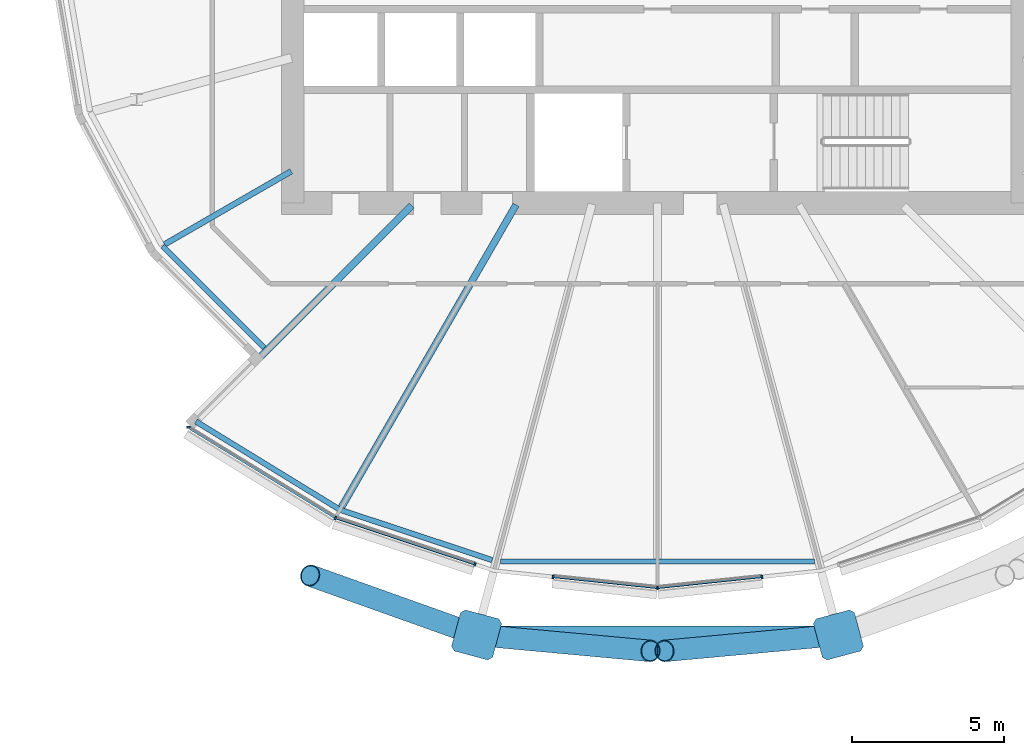
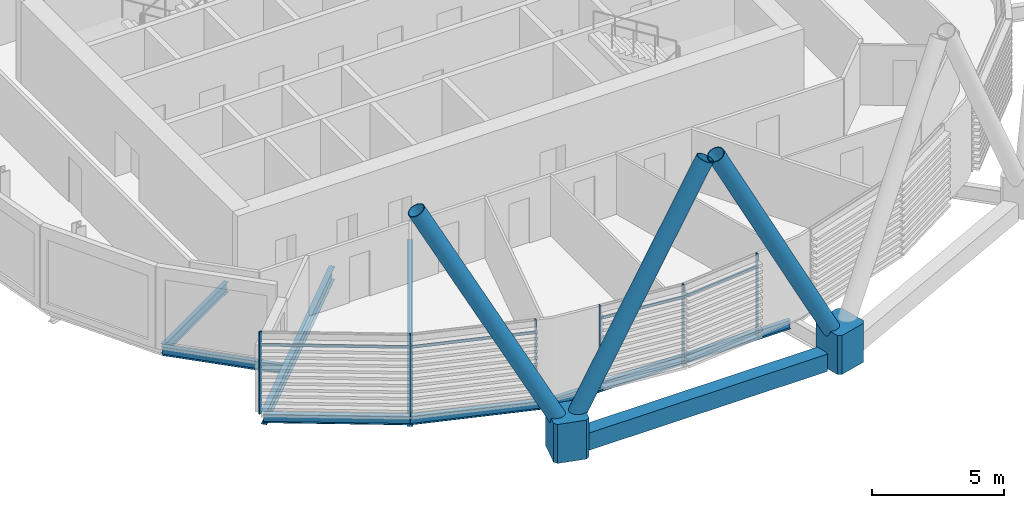
# One storey, part 3 of 39: 15 members, 8 beams, 1 element without a shape of its own.
"""IFC4 building model written with IfcOpenShell, lengths in metres."""

from ifc_helpers import new_model, si_unit, direction, frame, origin, origin_2d, place, context, subcontext, project, spatial, polyline, rectangle, hollow_rectangle, hollow_circle, i_section, outline, extrude, material, material_profile, profile_set, type_object, element, aggregate, save


model = new_model("IFC4")

# Units and contexts
model_context = context("Model", 3, precision=1e-05, world=origin(), true_north=direction((0.0, 1.0)))
body_context = subcontext(model_context, "Body", "Model", "MODEL_VIEW")
ifc_project = project(units=[si_unit("LENGTHUNIT", "METRE"), si_unit("AREAUNIT", "SQUARE_METRE"), si_unit("VOLUMEUNIT", "CUBIC_METRE"), si_unit("PLANEANGLEUNIT", "RADIAN"), si_unit("MASSUNIT", "GRAM", prefix="KILO")], contexts=[model_context])

# Site, building, storey
site_placement = place(None, origin())
site = spatial("IfcSite", under=ifc_project, at=site_placement, CompositionType="ELEMENT")
building_placement = place(site_placement, origin())
building = spatial("IfcBuilding", under=site, at=building_placement, Name="Rimbun Link Towers", CompositionType="ELEMENT")
storey_placement = place(building_placement, frame((0.0, 0.0, 115.800048828125)))
storey = spatial("IfcBuildingStorey", under=building, at=storey_placement, Name="L28", CompositionType="ELEMENT", Elevation=115.800048828125)

# Curtain wall, members
ifc_material_1 = material(Name="Aluminium 6063-T6 and low-iron glass", Category="aluminium")
curtain_wall_type = type_object("IfcCurtainWallType", Name="CW1-Z2 unitised vision wall (zone 2)", PredefinedType="NOTDEFINED", material=ifc_material_1)
curtain_wall_placement = place(storey_placement, origin())
curtain_wall = element("IfcCurtainWall", 1, at=curtain_wall_placement, inside=storey, type_object=curtain_wall_type, Name="CW1 L28 T1", PredefinedType="NOTDEFINED")
ifc_material_2 = material(Name="Aluminium 6063-T6", Category="aluminium")
ifc_material_profile_1 = material_profile(ifc_material_2, rectangle(XDim=0.1201171875, YDim=0.06005859375, at=origin_2d()), Name="MULLION 60X120")
ifc_profile_set_1 = profile_set([ifc_material_profile_1], Name="Aluminium 6063-T6")
member_type_1 = type_object("IfcMemberType", Name="CW1 mullion 60X120", PredefinedType="MULLION", material=ifc_profile_set_1)
member_1_placement = place(storey_placement, frame((-42.34619140625, -18.364013671875, 0.0), z_axis=(0.0, 0.0, 1.0), x_axis=(-0.421704717158, -0.9067332196, 0.0)))
member_1 = element("IfcMember", 2, at=member_1_placement, type_object=member_type_1, Name="CW1 mullion", PredefinedType="MULLION", context=body_context, shape_type="SweptSolid", body=[
    extrude(rectangle(XDim=0.1201171875, YDim=0.06005859375, at=origin_2d()), origin(), (0.0, 0.0, 1.0), 3.800048828125),
])
member_2_placement = place(storey_placement, frame((-47.17529296875, -15.37255859375, 0.0), z_axis=(0.0, 0.0, 1.0), x_axis=(-0.993119709488, -0.117103555137, 0.0)))
member_2 = element("IfcMember", 3, at=member_2_placement, type_object=member_type_1, Name="CW1 mullion", PredefinedType="MULLION", context=body_context, shape_type="SweptSolid", body=[
    extrude(rectangle(XDim=0.1201171875, YDim=0.06005859375, at=origin_2d()), origin(), (0.0, 0.0, 1.0), 3.800048828125),
])
member_3_placement = place(storey_placement, frame((-37.75390625, -19.88623046875, 0.0), z_axis=(0.0, 0.0, 1.0), x_axis=(-0.314563424855, -0.949236457235, 0.0)))
member_3 = element("IfcMember", 4, at=member_3_placement, type_object=member_type_1, Name="CW1 mullion", PredefinedType="MULLION", context=body_context, shape_type="SweptSolid", body=[
    extrude(rectangle(XDim=0.1201171875, YDim=0.06005859375, at=origin_2d()), origin(), (0.0, 0.0, 1.0), 3.800048828125),
])
member_4_placement = place(storey_placement, frame((-31.75, -20.6591796875, 0.0), z_axis=(0.0, 0.0, 1.0), x_axis=(0.0, -1.0, 0.0)))
member_4 = element("IfcMember", 5, at=member_4_placement, type_object=member_type_1, Name="CW1 mullion", PredefinedType="MULLION", context=body_context, shape_type="SweptSolid", body=[
    extrude(rectangle(XDim=0.1201171875, YDim=0.06005859375, at=origin_2d()), origin(), (0.0, 0.0, 1.0), 3.800048828125),
])
member_5_placement = place(storey_placement, frame((-35.18505859375, -20.297607421875, 0.0), z_axis=(0.0, 0.0, 1.0), x_axis=(-0.104748434017, -0.994498750915, 0.0)))
member_5 = element("IfcMember", 6, at=member_5_placement, type_object=member_type_1, Name="CW1 mullion", PredefinedType="MULLION", context=body_context, shape_type="SweptSolid", body=[
    extrude(rectangle(XDim=0.1201171875, YDim=0.06005859375, at=origin_2d()), origin(), (0.0, 0.0, 1.0), 3.800048828125),
])
member_6_placement = place(storey_placement, frame((-28.31494140625, -20.297607421875, 0.0), z_axis=(0.0, 0.0, 1.0), x_axis=(0.104748434017, -0.994498750915, 0.0)))
member_6 = element("IfcMember", 7, at=member_6_placement, type_object=member_type_1, Name="CW1 mullion", PredefinedType="MULLION", context=body_context, shape_type="SweptSolid", body=[
    extrude(rectangle(XDim=0.1201171875, YDim=0.06005859375, at=origin_2d()), origin(), (0.0, 0.0, 1.0), 3.800048828125),
])
ifc_material_3 = material(Name="Aluminium 6063-T6", Category="aluminium")
ifc_material_profile_2 = material_profile(ifc_material_3, rectangle(XDim=0.06005859375, YDim=0.1201171875, at=origin_2d()), Name="TRANSOM 60X120")
ifc_profile_set_2 = profile_set([ifc_material_profile_2], Name="Aluminium 6063-T6")
member_type_2 = type_object("IfcMemberType", Name="CW1 transom 60X120", PredefinedType="USERDEFINED", material=ifc_profile_set_2)
member_7_placement = place(storey_placement, frame((-42.376953125, -18.34326171875, 3.199951171875), z_axis=(-0.852172941328, 0.523260239335, 0.0), x_axis=(-0.523260239335, -0.852172941328, 0.0)))
member_7 = element("IfcMember", 8, at=member_7_placement, type_object=member_type_2, Name="CW1 transom", ObjectType="TRANSOM", PredefinedType="USERDEFINED", context=body_context, shape_type="SweptSolid", body=[
    extrude(rectangle(XDim=0.06005859375, YDim=0.1201171875, at=origin_2d()), origin(), (0.0, 0.0, 1.0), 5.566162109375),
])
member_8_placement = place(storey_placement, frame((-37.78173828125, -19.874755859375, 3.199951171875), z_axis=(-0.949244659323, 0.314538672894, 0.0), x_axis=(-0.314538672894, -0.949244659323, 0.0)))
member_8 = element("IfcMember", 9, at=member_8_placement, type_object=member_type_2, Name="CW1 transom", ObjectType="TRANSOM", PredefinedType="USERDEFINED", context=body_context, shape_type="SweptSolid", body=[
    extrude(rectangle(XDim=0.06005859375, YDim=0.1201171875, at=origin_2d()), origin(), (0.0, 0.0, 1.0), 4.771240234375),
])
member_9_placement = place(storey_placement, frame((-31.785888671875, -20.653564453125, 3.199951171875), z_axis=(-0.994502688422, 0.104711043933, 0.0), x_axis=(-0.104711043933, -0.994502688422, 0.0)))
member_9 = element("IfcMember", 10, at=member_9_placement, type_object=member_type_2, Name="CW1 transom", ObjectType="TRANSOM", PredefinedType="USERDEFINED", context=body_context, shape_type="SweptSolid", body=[
    extrude(rectangle(XDim=0.06005859375, YDim=0.1201171875, at=origin_2d()), origin(), (0.0, 0.0, 1.0), 3.3876953125),
])
member_10_placement = place(storey_placement, frame((-28.344970703125, -20.298828125, 3.199951171875), z_axis=(-0.994502688422, -0.104711043933, 0.0), x_axis=(0.104711043933, -0.994502688422, 0.0)))
member_10 = element("IfcMember", 11, at=member_10_placement, type_object=member_type_2, Name="CW1 transom", ObjectType="TRANSOM", PredefinedType="USERDEFINED", context=body_context, shape_type="SweptSolid", body=[
    extrude(rectangle(XDim=0.06005859375, YDim=0.1201171875, at=origin_2d()), origin(), (0.0, 0.0, 1.0), 3.3876953125),
])
aggregate(curtain_wall, [member_1, member_2, member_3, member_4, member_5, member_6, member_7, member_8, member_9, member_10])

# Members
ifc_material_4 = material(Name="Steel S460NH", Category="steel")
ifc_material_profile_3 = material_profile(ifc_material_4, hollow_circle(Radius=0.355712890625, WallThickness=0.031982421875, at=origin_2d()), Name="Diagrid diagonal CHS 711x32")
ifc_profile_set_3 = profile_set([ifc_material_profile_3], Name="Steel S460NH")
member_type_3 = type_object("IfcMemberType", Name="Diagrid diagonal CHS 711x32", PredefinedType="BRACE", material=ifc_profile_set_3)
member_11_placement = place(storey_placement, frame((-37.921142578125, -22.128173828125, 0.441650390625), z_axis=(-0.441450523195, 0.157512959012, 0.883352196643), x_axis=(-0.336056450745, -0.941841845488, 0.0)))
element("IfcMember", 12, at=member_11_placement, inside=storey, type_object=member_type_3, Name="Diagrid diagonal T1 L28-L31 17a", PredefinedType="BRACE", context=body_context, shape_type="SweptSolid", body=[
    extrude(hollow_circle(Radius=0.355712890625, WallThickness=0.031982421875, at=origin_2d()), origin(), (0.0, 0.0, 1.0), 11.9052734375),
])
for number, where, z_axis, x_axis, name in (
    (13, (-37.46923828125, -22.228271484375, 0.44287109375), (0.462305188587, -0.042551244948, 0.885699330562), (0.091654050065, 0.995790909331, 0.0), "Diagrid diagonal T1 L28-L31 17b"),
    (14, (-26.03076171875, -22.228271484375, 0.44287109375), (-0.462305188587, -0.042551244948, 0.885699330562), (0.091654050065, -0.995790909331, 0.0), "Diagrid diagonal T1 L28-L31 19a"),
):
    element("IfcMember", number, at=place(storey_placement, frame(where, z_axis=z_axis, x_axis=x_axis)), inside=storey, type_object=member_type_3, Name=name, PredefinedType="BRACE", context=body_context, shape_type="SweptSolid", body=[
        extrude(hollow_circle(Radius=0.355712890625, WallThickness=0.031982421875, at=origin_2d()), origin(), (0.0, 0.0, 1.0), 11.87109375),
    ])
ifc_material_5 = material(Name="Cast steel G20Mn5+QT, Rp0.2 300 MPa", Category="steel")
ifc_material_profile_4 = material_profile(ifc_material_5, outline(polyline([(0.699951171875, -0.570068359375), (0.699951171875, 0.570068359375), (0.570068359375, 0.699951171875), (-0.570068359375, 0.699951171875), (-0.699951171875, 0.570068359375), (-0.699951171875, -0.570068359375), (-0.570068359375, -0.699951171875), (0.570068359375, -0.699951171875), (0.699951171875, -0.570068359375)])), Name="NODE 1400x1400")
ifc_profile_set_4 = profile_set([ifc_material_profile_4], Name="Cast steel G20Mn5+QT, Rp0.2 300 MPa")
member_type_4 = type_object("IfcMemberType", Name="Diagrid node cast 1400", PredefinedType="USERDEFINED", material=ifc_profile_set_4)
for number, where, z_axis, x_axis, name in (
    (15, (-37.700439453125, -22.20703125, -0.900146484375), (0.0, 0.0, 1.0), (-0.258819045103, -0.965925826289, 0.0), "Diagrid node L28 17"),
    (16, (-25.799560546875, -22.20703125, -0.900146484375), (0.0, 0.0, 1.0), (0.258819045103, -0.965925826289, 0.0), "Diagrid node L28 19"),
):
    element("IfcMember", number, at=place(storey_placement, frame(where, z_axis=z_axis, x_axis=x_axis)), inside=storey, type_object=member_type_4, Name=name, ObjectType="Diagrid node", PredefinedType="USERDEFINED", context=body_context, shape_type="SweptSolid", body=[
        extrude(outline(polyline([(0.699951171875, -0.570068359375), (0.699951171875, 0.570068359375), (0.570068359375, 0.699951171875), (-0.570068359375, 0.699951171875), (-0.699951171875, 0.570068359375), (-0.699951171875, -0.570068359375), (-0.570068359375, -0.699951171875), (0.570068359375, -0.699951171875), (0.699951171875, -0.570068359375)])), origin(), (0.0, 0.0, 1.0), 1.800048828125),
    ])

# Beams
ifc_material_6 = material(Name="Steel S355J2", Category="steel")
ifc_material_profile_5 = material_profile(ifc_material_6, hollow_rectangle(XDim=0.60009765625, YDim=0.800048828125, WallThickness=0.0400390625, at=origin_2d()), Name="Exoskeleton ring girder BOX 600x800x40")
ifc_profile_set_5 = profile_set([ifc_material_profile_5], Name="Steel S355J2")
beam_type_1 = type_object("IfcBeamType", Name="Exoskeleton ring girder BOX 600x800x40", PredefinedType="BEAM", material=ifc_profile_set_5)
beam_1_placement = place(storey_placement, frame((-37.00048828125, -22.20703125, -0.56005859375), z_axis=(1.0, 0.0, 0.0), x_axis=(0.0, 1.0, 0.0)))
element("IfcBeam", 17, at=beam_1_placement, inside=storey, type_object=beam_type_1, Name="Exoskeleton ring girder L28 05", PredefinedType="BEAM", context=body_context, shape_type="SweptSolid", body=[
    extrude(hollow_rectangle(XDim=0.60009765625, YDim=0.800048828125, WallThickness=0.0400390625, at=origin_2d()), origin(), (0.0, 0.0, 1.0), 10.5009765625),
])
ifc_material_7 = material(Name="Steel S355J2", Category="steel")
ifc_material_profile_6 = material_profile(ifc_material_7, i_section(OverallWidth=0.177978515625, OverallDepth=0.406494140625, WebThickness=0.0078125, FlangeThickness=0.0126953125, at=origin_2d()), Name="UB 406x178x60")
ifc_profile_set_6 = profile_set([ifc_material_profile_6], Name="Steel S355J2")
beam_type_2 = type_object("IfcBeamType", Name="UB 406x178x60", PredefinedType="BEAM", material=ifc_profile_set_6)
beam_2_placement = place(storey_placement, frame((-48.031494140625, -9.416015625, -0.36328125), z_axis=(0.706926472379, -0.707287044028, 0.0), x_axis=(0.707287044028, 0.706926472379, 0.0)))
element("IfcBeam", 18, at=beam_2_placement, inside=storey, type_object=beam_type_2, Name="Edge beam T1 L28 14 recess", PredefinedType="BEAM", context=body_context, shape_type="SweptSolid", body=[
    extrude(i_section(OverallWidth=0.177978515625, OverallDepth=0.406494140625, WebThickness=0.0078125, FlangeThickness=0.0126953125, at=origin_2d()), origin(), (0.0, 0.0, 1.0), 4.73974609375),
])
beam_3_placement = place(storey_placement, frame((-46.93310546875, -15.184326171875, -0.36328125), z_axis=(0.852679673858, -0.522434085593, 0.0), x_axis=(0.522434085593, 0.852679673858, 0.0)))
element("IfcBeam", 19, at=beam_3_placement, inside=storey, type_object=beam_type_2, Name="Edge beam T1 L28 15", PredefinedType="BEAM", context=body_context, shape_type="SweptSolid", body=[
    extrude(i_section(OverallWidth=0.177978515625, OverallDepth=0.406494140625, WebThickness=0.0078125, FlangeThickness=0.0126953125, at=origin_2d()), origin(), (0.0, 0.0, 1.0), 5.54736328125),
])
beam_4_placement = place(storey_placement, frame((-42.1826171875, -18.092041015625, -0.36328125), z_axis=(0.949395127571, -0.314084211232, 0.0), x_axis=(0.314084211232, 0.949395127571, 0.0)))
element("IfcBeam", 20, at=beam_4_placement, inside=storey, type_object=beam_type_2, Name="Edge beam T1 L28 16", PredefinedType="BEAM", context=body_context, shape_type="SweptSolid", body=[
    extrude(i_section(OverallWidth=0.177978515625, OverallDepth=0.406494140625, WebThickness=0.0078125, FlangeThickness=0.0126953125, at=origin_2d()), origin(), (0.0, 0.0, 1.0), 5.263916015625),
])
beam_5_placement = place(storey_placement, frame((-36.91357421875, -19.789306640625, -0.36328125), z_axis=(1.0, 0.0, 0.0), x_axis=(0.0, 1.0, 0.0)))
element("IfcBeam", 21, at=beam_5_placement, inside=storey, type_object=beam_type_2, Name="Edge beam T1 L28 17-19", PredefinedType="BEAM", context=body_context, shape_type="SweptSolid", body=[
    extrude(i_section(OverallWidth=0.177978515625, OverallDepth=0.406494140625, WebThickness=0.0078125, FlangeThickness=0.0126953125, at=origin_2d()), origin(), (0.0, 0.0, 1.0), 10.3271484375),
])
ifc_material_8 = material(Name="Steel S355J2", Category="steel")
ifc_material_profile_7 = material_profile(ifc_material_8, i_section(OverallWidth=0.18994140625, OverallDepth=0.453369140625, WebThickness=0.008544921875, FlangeThickness=0.0126953125, at=origin_2d()), Name="UB 457x191x67")
ifc_profile_set_7 = profile_set([ifc_material_profile_7], Name="Steel S355J2")
beam_type_3 = type_object("IfcBeamType", Name="UB 457x191x67", PredefinedType="BEAM", material=ifc_profile_set_7)
beam_6_placement = place(storey_placement, frame((-43.79833984375, -6.9560546875, -0.38671875), z_axis=(-0.866025804792, -0.499999305434, 0.0), x_axis=(0.499999305434, -0.866025804792, 0.0)))
element("IfcBeam", 22, at=beam_6_placement, inside=storey, type_object=beam_type_3, Name="Radial beam T1 L28 14", PredefinedType="BEAM", context=body_context, shape_type="SweptSolid", body=[
    extrude(i_section(OverallWidth=0.18994140625, OverallDepth=0.453369140625, WebThickness=0.008544921875, FlangeThickness=0.0126953125, at=origin_2d()), origin(), (0.0, 0.0, 1.0), 4.80908203125),
])
ifc_material_9 = material(Name="Steel S355J2", Category="steel")
ifc_material_profile_8 = material_profile(ifc_material_9, i_section(OverallWidth=0.2275390625, OverallDepth=0.6025390625, WebThickness=0.010498046875, FlangeThickness=0.014892578125, at=origin_2d()), Name="UB 610x229x101")
ifc_profile_set_8 = profile_set([ifc_material_profile_8], Name="Steel S355J2")
beam_type_4 = type_object("IfcBeamType", Name="UB 610x229x101", PredefinedType="BEAM", material=ifc_profile_set_8)
beam_7_placement = place(storey_placement, frame((-39.831298828125, -8.081298828125, -0.46142578125), z_axis=(-0.707106781187, -0.707106781187, 0.0), x_axis=(0.707106781187, -0.707106781187, 0.0)))
element("IfcBeam", 23, at=beam_7_placement, inside=storey, type_object=beam_type_4, Name="Radial beam T1 L28 15", PredefinedType="BEAM", context=body_context, shape_type="SweptSolid", body=[
    extrude(i_section(OverallWidth=0.2275390625, OverallDepth=0.6025390625, WebThickness=0.010498046875, FlangeThickness=0.014892578125, at=origin_2d()), origin(), (0.0, 0.0, 1.0), 9.951904296875),
])
beam_8_placement = place(storey_placement, frame((-36.402099609375, -8.057861328125, -0.46142578125), z_axis=(-0.500005039288, -0.866022494331, 0.0), x_axis=(0.866022494331, -0.500005039288, 0.0)))
element("IfcBeam", 24, at=beam_8_placement, inside=storey, type_object=beam_type_4, Name="Radial beam T1 L28 16", PredefinedType="BEAM", context=body_context, shape_type="SweptSolid", body=[
    extrude(i_section(OverallWidth=0.2275390625, OverallDepth=0.6025390625, WebThickness=0.010498046875, FlangeThickness=0.014892578125, at=origin_2d()), origin(), (0.0, 0.0, 1.0), 11.4921875),
])

save(model, "model.ifc")
